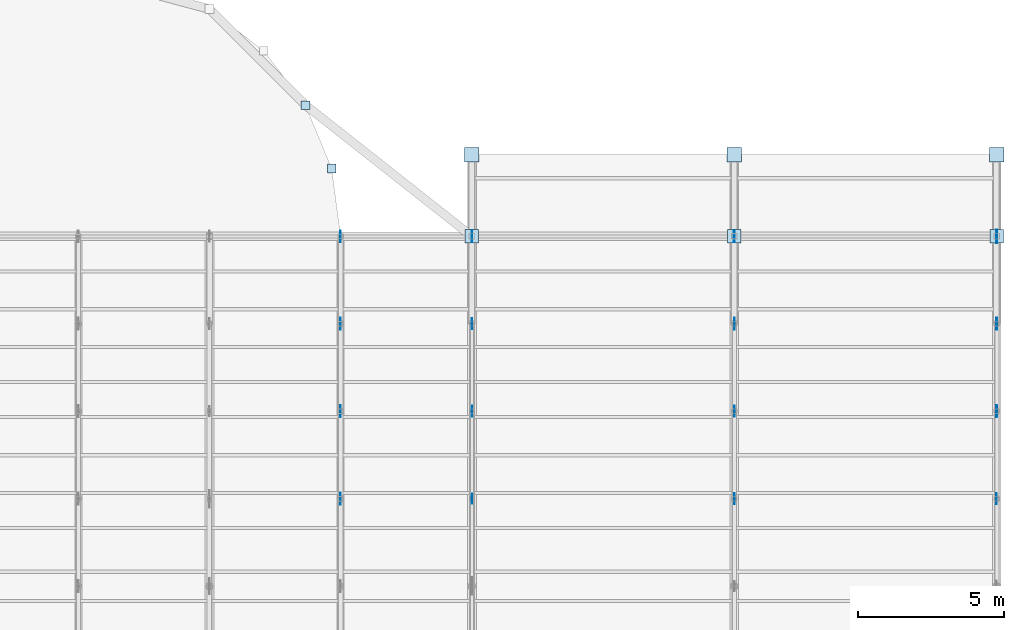
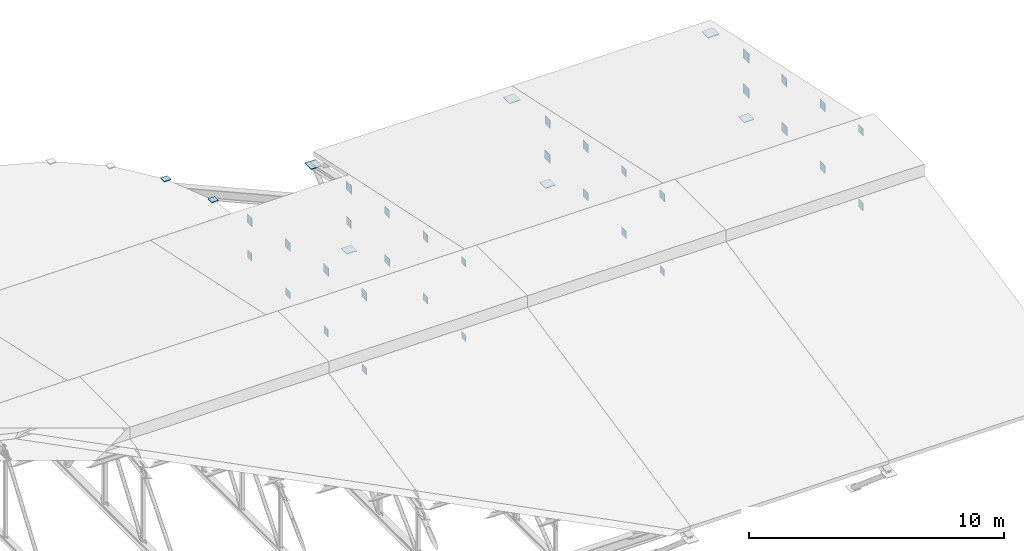
# One storey, part 42 of 43: 40 plates.
"""IFC4 building model written with IfcOpenShell, lengths in metres."""

from ifc_helpers import new_model, si_unit, direction, frame, origin, origin_2d, place, context, subcontext, project, spatial, rectangle, extrude, material, layer, layer_set, type_object, element, save


model = new_model("IFC4")

# Units and contexts
model_context = context("Model", 3, precision=1e-05, world=origin(), true_north=direction((0.0, 1.0)))
body_context = subcontext(model_context, "Body", "Model", "MODEL_VIEW")
ifc_project = project(units=[si_unit("LENGTHUNIT", "METRE"), si_unit("AREAUNIT", "SQUARE_METRE"), si_unit("VOLUMEUNIT", "CUBIC_METRE"), si_unit("PLANEANGLEUNIT", "RADIAN"), si_unit("MASSUNIT", "GRAM", prefix="KILO")], contexts=[model_context])

# Site, building, storey
site_placement = place(None, origin())
site = spatial("IfcSite", under=ifc_project, at=site_placement, CompositionType="ELEMENT")
building_placement = place(site_placement, origin())
building = spatial("IfcBuilding", under=site, at=building_placement, Name="Serraforn Aerial Cableway Station", CompositionType="ELEMENT")
storey_placement = place(building_placement, frame((0.0, 0.0, 18.300048828125)))
storey = spatial("IfcBuildingStorey", under=building, at=storey_placement, Name="RF", CompositionType="ELEMENT", Elevation=18.300048828125)

# Plates
ifc_material = material(Name="Steel S355J2", Category="steel")
ifc_layer_1 = layer(ifc_material, 0.01708984375)
ifc_layer_set_1 = layer_set([ifc_layer_1], Name="Steel S355J2")
plate_type_1 = type_object("IfcPlateType", Name="PLT-CAP-17", PredefinedType="USERDEFINED", material=ifc_layer_set_1)
plate_1_placement = place(storey_placement, frame((72.60009765625, 33.0, -1.51513671875), z_axis=(0.0, 0.0, 1.0), x_axis=(1.0, 0.0, 0.0)))
element("IfcPlate", 1, at=plate_1_placement, inside=storey, type_object=plate_type_1, Name="Truss Bottom Node Cap TR-06-6", ObjectType="CAP PLATE", PredefinedType="USERDEFINED", context=body_context, shape_type="SweptSolid", body=[
    extrude(rectangle(XDim=0.01708984375, YDim=0.330078125, at=origin_2d()), origin(), (0.0, 0.0, 1.0), 0.330078125),
])
ifc_layer_2 = layer(ifc_material, 0.01806640625)
ifc_layer_set_2 = layer_set([ifc_layer_2], Name="Steel S355J2")
plate_type_2 = type_object("IfcPlateType", Name="PLT-CAP-18", PredefinedType="USERDEFINED", material=ifc_layer_set_2)
for number, where, z_axis, x_axis, name in (
    (2, (72.60009765625, 36.0, -1.52001953125), (0.0, 0.0, 1.0), (1.0, 0.0, 0.0), "Truss Bottom Node Cap TR-06-7"),
    (3, (81.60009765625, 33.0, -1.52001953125), (0.0, 0.0, 1.0), (1.0, 0.0, 0.0), "Truss Bottom Node Cap TR-07-6"),
    (4, (68.10009765625, 33.0, -1.52001953125), (0.0, 0.0, 1.0), (1.0, 0.0, 0.0), "Intermediate Truss Bottom Cap TRM-05-6"),
    (5, (68.10009765625, 36.0, -1.52001953125), (0.0, 0.0, 1.0), (1.0, 0.0, 0.0), "Intermediate Truss Bottom Cap TRM-05-7"),
    (6, (68.10009765625, 39.0, -1.52001953125), (0.0, 0.0, 1.0), (1.0, 0.0, 0.0), "Intermediate Truss Bottom Cap TRM-05-8"),
    (7, (68.10009765625, 42.0, -1.52001953125), (0.0, 0.0, 1.0), (1.0, 0.0, 0.0), "Intermediate Truss Bottom Cap TRM-05-9"),
):
    element("IfcPlate", number, at=place(storey_placement, frame(where, z_axis=z_axis, x_axis=x_axis)), inside=storey, type_object=plate_type_2, Name=name, ObjectType="CAP PLATE", PredefinedType="USERDEFINED", context=body_context, shape_type="SweptSolid", body=[
        extrude(rectangle(XDim=0.01806640625, YDim=0.340087890625, at=origin_2d()), origin(), (0.0, 0.0, 1.0), 0.340087890625),
    ])
ifc_layer_3 = layer(ifc_material, 0.01904296875)
ifc_layer_set_3 = layer_set([ifc_layer_3], Name="Steel S355J2")
plate_type_3 = type_object("IfcPlateType", Name="PLT-CAP-19", PredefinedType="USERDEFINED", material=ifc_layer_set_3)
for number, where, z_axis, x_axis, name in (
    (8, (72.60009765625, 39.0, -1.53515625), (0.0, 0.0, 1.0), (1.0, 0.0, 0.0), "Truss Bottom Node Cap TR-06-8"),
    (9, (81.60009765625, 36.0, -1.53515625), (0.0, 0.0, 1.0), (1.0, 0.0, 0.0), "Truss Bottom Node Cap TR-07-7"),
    (10, (90.60009765625, 33.0, -1.53515625), (0.0, 0.0, 1.0), (1.0, 0.0, 0.0), "Truss Bottom Node Cap TR-08-6"),
):
    element("IfcPlate", number, at=place(storey_placement, frame(where, z_axis=z_axis, x_axis=x_axis)), inside=storey, type_object=plate_type_3, Name=name, ObjectType="CAP PLATE", PredefinedType="USERDEFINED", context=body_context, shape_type="SweptSolid", body=[
        extrude(rectangle(XDim=0.01904296875, YDim=0.3701171875, at=origin_2d()), origin(), (0.0, 0.0, 1.0), 0.3701171875),
    ])
ifc_layer_4 = layer(ifc_material, 0.02001953125)
ifc_layer_set_4 = layer_set([ifc_layer_4], Name="Steel S355J2")
plate_type_4 = type_object("IfcPlateType", Name="PLT-CAP-20", PredefinedType="USERDEFINED", material=ifc_layer_set_4)
for number, where, z_axis, x_axis, name in (
    (11, (72.60009765625, 42.0, -1.5400390625), (0.0, 0.0, 1.0), (1.0, 0.0, 0.0), "Truss Bottom Node Cap TR-06-9"),
    (12, (81.60009765625, 39.0, -1.5400390625), (0.0, 0.0, 1.0), (1.0, 0.0, 0.0), "Truss Bottom Node Cap TR-07-8"),
    (13, (90.60009765625, 36.0, -1.5400390625), (0.0, 0.0, 1.0), (1.0, 0.0, 0.0), "Truss Bottom Node Cap TR-08-7"),
):
    element("IfcPlate", number, at=place(storey_placement, frame(where, z_axis=z_axis, x_axis=x_axis)), inside=storey, type_object=plate_type_4, Name=name, ObjectType="CAP PLATE", PredefinedType="USERDEFINED", context=body_context, shape_type="SweptSolid", body=[
        extrude(rectangle(XDim=0.02001953125, YDim=0.3798828125, at=origin_2d()), origin(), (0.0, 0.0, 1.0), 0.3798828125),
    ])
ifc_layer_5 = layer(ifc_material, 0.02197265625)
ifc_layer_set_5 = layer_set([ifc_layer_5], Name="Steel S355J2")
plate_type_5 = type_object("IfcPlateType", Name="PLT-CAP-22", PredefinedType="USERDEFINED", material=ifc_layer_set_5)
for number, where, z_axis, x_axis, name in (
    (14, (81.60009765625, 42.0, -1.56005859375), (0.0, 0.0, 1.0), (1.0, 0.0, 0.0), "Truss Bottom Node Cap TR-07-9"),
    (15, (90.60009765625, 39.0, -1.56005859375), (0.0, 0.0, 1.0), (1.0, 0.0, 0.0), "Truss Bottom Node Cap TR-08-8"),
):
    element("IfcPlate", number, at=place(storey_placement, frame(where, z_axis=z_axis, x_axis=x_axis)), inside=storey, type_object=plate_type_5, Name=name, ObjectType="CAP PLATE", PredefinedType="USERDEFINED", context=body_context, shape_type="SweptSolid", body=[
        extrude(rectangle(XDim=0.02197265625, YDim=0.419921875, at=origin_2d()), origin(), (0.0, 0.0, 1.0), 0.419921875),
    ])
ifc_layer_6 = layer(ifc_material, 0.02392578125)
ifc_layer_set_6 = layer_set([ifc_layer_6], Name="Steel S355J2")
plate_type_6 = type_object("IfcPlateType", Name="PLT-CAP-24", PredefinedType="USERDEFINED", material=ifc_layer_set_6)
for number, where, z_axis, x_axis, name in (
    (16, (72.60009765625, 42.0, -2.662109375), (0.0, 0.0, 1.0), (1.0, 0.0, 0.0), "Truss Eave Column Gusset TR-06-EN"),
    (17, (81.60009765625, 42.0, -2.662109375), (0.0, 0.0, 1.0), (1.0, 0.0, 0.0), "Truss Eave Column Gusset TR-07-EN"),
):
    element("IfcPlate", number, at=place(storey_placement, frame(where, z_axis=z_axis, x_axis=x_axis)), inside=storey, type_object=plate_type_6, Name=name, ObjectType="CAP PLATE", PredefinedType="USERDEFINED", context=body_context, shape_type="SweptSolid", body=[
        extrude(rectangle(XDim=0.4599609375, YDim=0.4599609375, at=origin_2d()), origin(), (0.0, 0.0, 1.0), 0.02392578125),
    ])
plate_2_placement = place(storey_placement, frame((90.60009765625, 42.0, -1.580078125), z_axis=(0.0, 0.0, 1.0), x_axis=(1.0, 0.0, 0.0)))
element("IfcPlate", 18, at=plate_2_placement, inside=storey, type_object=plate_type_6, Name="Truss Bottom Node Cap TR-08-9", ObjectType="CAP PLATE", PredefinedType="USERDEFINED", context=body_context, shape_type="SweptSolid", body=[
    extrude(rectangle(XDim=0.02392578125, YDim=0.4599609375, at=origin_2d()), origin(), (0.0, 0.0, 1.0), 0.4599609375),
])
plate_3_placement = place(storey_placement, frame((90.60009765625, 42.0, -2.662109375), z_axis=(0.0, 0.0, 1.0), x_axis=(1.0, 0.0, 0.0)))
element("IfcPlate", 19, at=plate_3_placement, inside=storey, type_object=plate_type_6, Name="Truss Eave Column Gusset TR-08-EN", ObjectType="CAP PLATE", PredefinedType="USERDEFINED", context=body_context, shape_type="SweptSolid", body=[
    extrude(rectangle(XDim=0.4599609375, YDim=0.4599609375, at=origin_2d()), origin(), (0.0, 0.0, 1.0), 0.02392578125),
])
ifc_layer_7 = layer(ifc_material, 0.028076171875)
ifc_layer_set_7 = layer_set([ifc_layer_7], Name="Steel S355J2")
plate_type_7 = type_object("IfcPlateType", Name="PLT-CAP-28", PredefinedType="USERDEFINED", material=ifc_layer_set_7)
for number, where, z_axis, x_axis, name in (
    (20, (72.60009765625, 44.800048828125, -0.2841796875), (0.0, 0.0, 1.0), (1.0, 0.0, 0.0), "Truss Eave Tip Cap Plate TR-06-EN"),
    (21, (81.60009765625, 44.800048828125, -0.2841796875), (0.0, 0.0, 1.0), (1.0, 0.0, 0.0), "Truss Eave Tip Cap Plate TR-07-EN"),
    (22, (90.60009765625, 44.800048828125, -0.2841796875), (0.0, 0.0, 1.0), (1.0, 0.0, 0.0), "Truss Eave Tip Cap Plate TR-08-EN"),
):
    element("IfcPlate", number, at=place(storey_placement, frame(where, z_axis=z_axis, x_axis=x_axis)), inside=storey, type_object=plate_type_7, Name=name, ObjectType="CAP PLATE", PredefinedType="USERDEFINED", context=body_context, shape_type="SweptSolid", body=[
        extrude(rectangle(XDim=0.5, YDim=0.5, at=origin_2d()), origin(), (0.0, 0.0, 1.0), 0.028076171875),
    ])
ifc_layer_8 = layer(ifc_material, 0.02490234375)
ifc_layer_set_8 = layer_set([ifc_layer_8], Name="Steel S355J2")
plate_type_8 = type_object("IfcPlateType", Name="PLT-ECP-CHS273", PredefinedType="USERDEFINED", material=ifc_layer_set_8)
for number, where, z_axis, x_axis, name in (
    (23, (66.894287109375, 46.5, -0.0009765625), (0.0, 0.0, 1.0), (1.0, 0.0, 0.0), "Apse Hollow Column End Cap 10"),
    (24, (67.793212890625, 44.329345703125, -0.0009765625), (0.0, 0.0, 1.0), (1.0, 0.0, 0.0), "Apse Hollow Column End Cap 11"),
):
    element("IfcPlate", number, at=place(storey_placement, frame(where, z_axis=z_axis, x_axis=x_axis)), inside=storey, type_object=plate_type_8, Name=name, ObjectType="END CAP PLATE", PredefinedType="USERDEFINED", context=body_context, shape_type="SweptSolid", body=[
        extrude(rectangle(XDim=0.300048828125, YDim=0.300048828125, at=origin_2d()), origin(), (0.0, 0.0, 1.0), 0.02490234375),
    ])
ifc_layer_9 = layer(ifc_material, 0.014892578125)
ifc_layer_set_9 = layer_set([ifc_layer_9], Name="Steel S355J2")
plate_type_9 = type_object("IfcPlateType", Name="PLT-GUS-15", PredefinedType="USERDEFINED", material=ifc_layer_set_9)
plate_4_placement = place(storey_placement, frame((72.60009765625, 33.0, 2.0732421875), z_axis=(0.0, 0.0, 1.0), x_axis=(1.0, 0.0, 0.0)))
element("IfcPlate", 25, at=plate_4_placement, inside=storey, type_object=plate_type_9, Name="Truss Top Node Gusset TR-06-6", ObjectType="GUSSET PLATE", PredefinedType="USERDEFINED", context=body_context, shape_type="SweptSolid", body=[
    extrude(rectangle(XDim=0.014892578125, YDim=0.330078125, at=origin_2d()), origin(), (0.0, 0.0, 1.0), 0.330078125),
])
ifc_layer_10 = layer(ifc_material, 0.01708984375)
ifc_layer_set_10 = layer_set([ifc_layer_10], Name="Steel S355J2")
plate_type_10 = type_object("IfcPlateType", Name="PLT-GUS-17", PredefinedType="USERDEFINED", material=ifc_layer_set_10)
for number, where, z_axis, x_axis, name in (
    (26, (72.60009765625, 36.0, 1.41552734375), (0.0, 0.0, 1.0), (1.0, 0.0, 0.0), "Truss Top Node Gusset TR-06-7"),
    (27, (81.60009765625, 33.0, 2.05322265625), (0.0, 0.0, 1.0), (1.0, 0.0, 0.0), "Truss Top Node Gusset TR-07-6"),
):
    element("IfcPlate", number, at=place(storey_placement, frame(where, z_axis=z_axis, x_axis=x_axis)), inside=storey, type_object=plate_type_10, Name=name, ObjectType="GUSSET PLATE", PredefinedType="USERDEFINED", context=body_context, shape_type="SweptSolid", body=[
        extrude(rectangle(XDim=0.01708984375, YDim=0.3701171875, at=origin_2d()), origin(), (0.0, 0.0, 1.0), 0.3701171875),
    ])
ifc_layer_11 = layer(ifc_material, 0.01806640625)
ifc_layer_set_11 = layer_set([ifc_layer_11], Name="Steel S355J2")
plate_type_11 = type_object("IfcPlateType", Name="PLT-GUS-18", PredefinedType="USERDEFINED", material=ifc_layer_set_11)
for number, where, z_axis, x_axis, name in (
    (28, (72.60009765625, 39.0, 0.78271484375), (0.0, 0.0, 1.0), (1.0, 0.0, 0.0), "Truss Top Node Gusset TR-06-8"),
    (29, (81.60009765625, 36.0, 1.42041015625), (0.0, 0.0, 1.0), (1.0, 0.0, 0.0), "Truss Top Node Gusset TR-07-7"),
    (30, (90.60009765625, 33.0, 2.05810546875), (0.0, 0.0, 1.0), (1.0, 0.0, 0.0), "Truss Top Node Gusset TR-08-6"),
):
    element("IfcPlate", number, at=place(storey_placement, frame(where, z_axis=z_axis, x_axis=x_axis)), inside=storey, type_object=plate_type_11, Name=name, ObjectType="GUSSET PLATE", PredefinedType="USERDEFINED", context=body_context, shape_type="SweptSolid", body=[
        extrude(rectangle(XDim=0.01806640625, YDim=0.360107421875, at=origin_2d()), origin(), (0.0, 0.0, 1.0), 0.360107421875),
    ])
ifc_layer_12 = layer(ifc_material, 0.01904296875)
ifc_layer_set_12 = layer_set([ifc_layer_12], Name="Steel S355J2")
plate_type_12 = type_object("IfcPlateType", Name="PLT-GUS-19", PredefinedType="USERDEFINED", material=ifc_layer_set_12)
for number, where, z_axis, x_axis, name in (
    (31, (72.60009765625, 42.0, 0.1201171875), (0.0, 0.0, 1.0), (1.0, 0.0, 0.0), "Truss Top Node Gusset TR-06-9"),
    (32, (81.60009765625, 39.0, 0.7578125), (0.0, 0.0, 1.0), (1.0, 0.0, 0.0), "Truss Top Node Gusset TR-07-8"),
    (33, (90.60009765625, 36.0, 1.3955078125), (0.0, 0.0, 1.0), (1.0, 0.0, 0.0), "Truss Top Node Gusset TR-08-7"),
):
    element("IfcPlate", number, at=place(storey_placement, frame(where, z_axis=z_axis, x_axis=x_axis)), inside=storey, type_object=plate_type_12, Name=name, ObjectType="GUSSET PLATE", PredefinedType="USERDEFINED", context=body_context, shape_type="SweptSolid", body=[
        extrude(rectangle(XDim=0.01904296875, YDim=0.409912109375, at=origin_2d()), origin(), (0.0, 0.0, 1.0), 0.409912109375),
    ])
ifc_layer_13 = layer(ifc_material, 0.02001953125)
ifc_layer_set_13 = layer_set([ifc_layer_13], Name="Steel S355J2")
plate_type_13 = type_object("IfcPlateType", Name="PLT-GUS-20", PredefinedType="USERDEFINED", material=ifc_layer_set_13)
for number, where, z_axis, x_axis, name in (
    (34, (81.60009765625, 42.0, 0.125244140625), (0.0, 0.0, 1.0), (1.0, 0.0, 0.0), "Truss Top Node Gusset TR-07-9"),
    (35, (90.60009765625, 39.0, 0.762939453125), (0.0, 0.0, 1.0), (1.0, 0.0, 0.0), "Truss Top Node Gusset TR-08-8"),
    (36, (68.10009765625, 33.0, 2.038330078125), (0.0, 0.0, 1.0), (1.0, 0.0, 0.0), "Intermediate Truss Top Gusset TRM-05-6"),
    (37, (68.10009765625, 36.0, 1.400634765625), (0.0, 0.0, 1.0), (1.0, 0.0, 0.0), "Intermediate Truss Top Gusset TRM-05-7"),
    (38, (68.10009765625, 39.0, 0.762939453125), (0.0, 0.0, 1.0), (1.0, 0.0, 0.0), "Intermediate Truss Top Gusset TRM-05-8"),
    (39, (68.10009765625, 42.0, 0.125244140625), (0.0, 0.0, 1.0), (1.0, 0.0, 0.0), "Intermediate Truss Top Gusset TRM-05-9"),
):
    element("IfcPlate", number, at=place(storey_placement, frame(where, z_axis=z_axis, x_axis=x_axis)), inside=storey, type_object=plate_type_13, Name=name, ObjectType="GUSSET PLATE", PredefinedType="USERDEFINED", context=body_context, shape_type="SweptSolid", body=[
        extrude(rectangle(XDim=0.02001953125, YDim=0.39990234375, at=origin_2d()), origin(), (0.0, 0.0, 1.0), 0.39990234375),
    ])
ifc_layer_14 = layer(ifc_material, 0.02099609375)
ifc_layer_set_14 = layer_set([ifc_layer_14], Name="Steel S355J2")
plate_type_14 = type_object("IfcPlateType", Name="PLT-GUS-21", PredefinedType="USERDEFINED", material=ifc_layer_set_14)
plate_5_placement = place(storey_placement, frame((90.60009765625, 42.0, 0.10009765625), z_axis=(0.0, 0.0, 1.0), x_axis=(1.0, 0.0, 0.0)))
element("IfcPlate", 40, at=plate_5_placement, inside=storey, type_object=plate_type_14, Name="Truss Top Node Gusset TR-08-9", ObjectType="GUSSET PLATE", PredefinedType="USERDEFINED", context=body_context, shape_type="SweptSolid", body=[
    extrude(rectangle(XDim=0.02099609375, YDim=0.449951171875, at=origin_2d()), origin(), (0.0, 0.0, 1.0), 0.449951171875),
])

save(model, "model.ifc")
